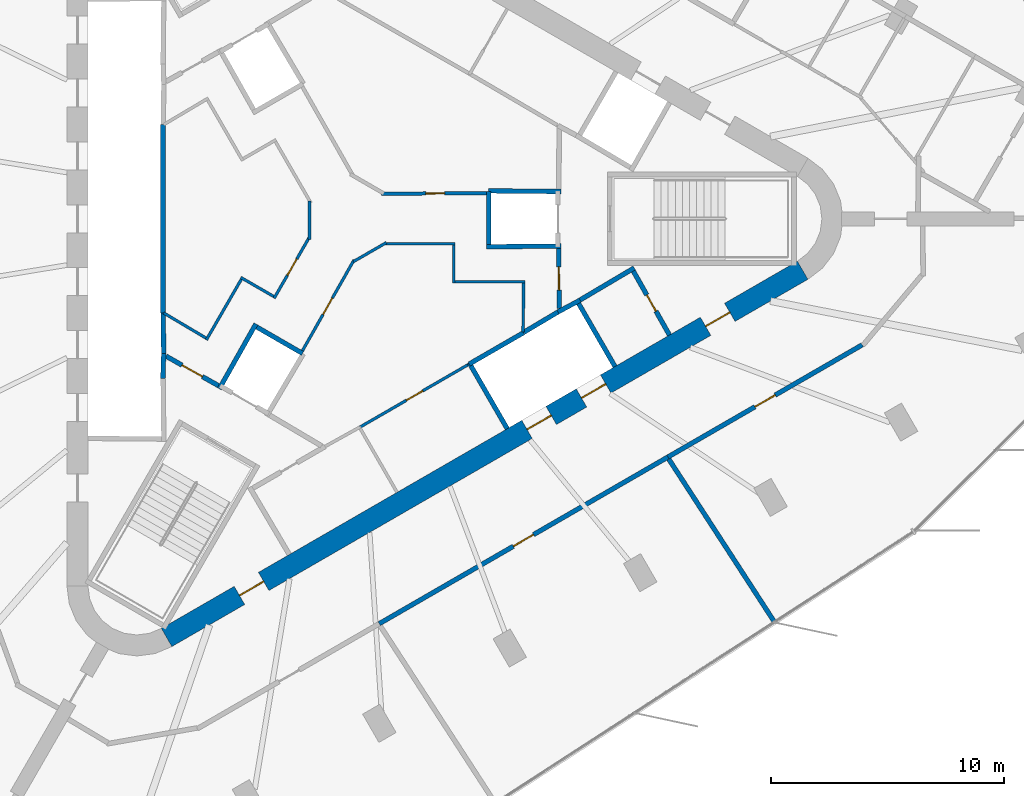
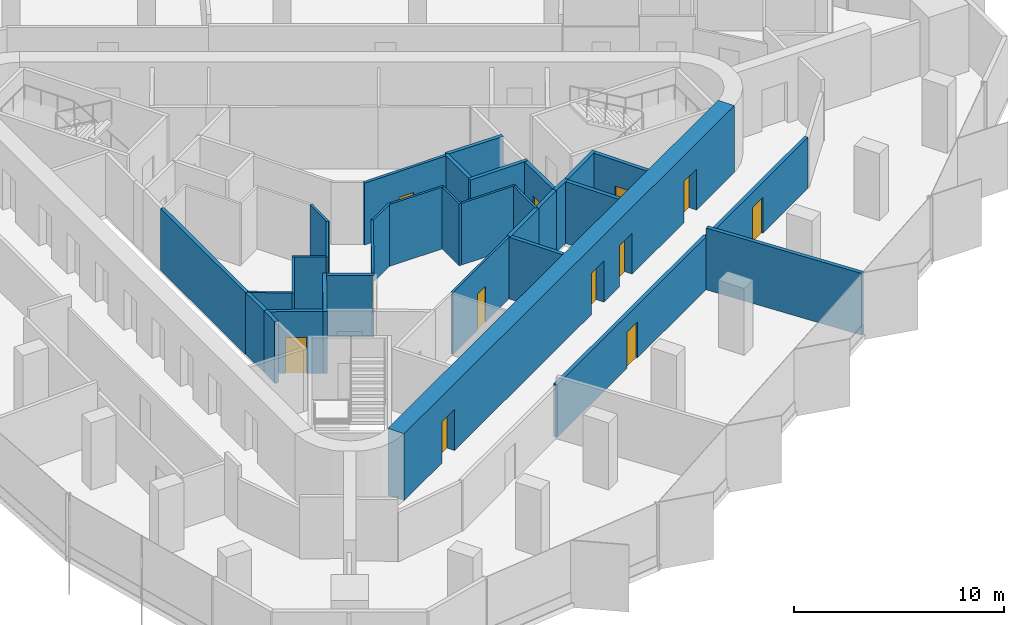
# One storey, part 8 of 12: 34 walls, 13 doors, 13 openings.
"""IFC4 building model written with IfcOpenShell, lengths in metres."""

from ifc_helpers import new_model, si_unit, direction, frame, frame_2d, origin, place, context, subcontext, project, spatial, rectangle, extrude, material, layer, layer_set, type_object, element, fill, save


model = new_model("IFC4")

# Units and contexts
model_context = context("Model", 3, precision=1e-05, world=origin(), true_north=direction((0.0, 1.0)))
body_context = subcontext(model_context, "Body", "Model", "MODEL_VIEW")
ifc_project = project(units=[si_unit("LENGTHUNIT", "METRE"), si_unit("AREAUNIT", "SQUARE_METRE"), si_unit("VOLUMEUNIT", "CUBIC_METRE"), si_unit("PLANEANGLEUNIT", "RADIAN"), si_unit("MASSUNIT", "GRAM", prefix="KILO")], contexts=[model_context])

# Site, building, storey
site_placement = place(None, origin())
site = spatial("IfcSite", under=ifc_project, at=site_placement, CompositionType="ELEMENT")
building_placement = place(site_placement, origin())
building = spatial("IfcBuilding", under=site, at=building_placement, Name="Tanit Gate Tower", CompositionType="ELEMENT")
storey_placement = place(building_placement, frame((0.0, 0.0, 357.199951171875)))
storey = spatial("IfcBuildingStorey", under=building, at=storey_placement, Name="L81", CompositionType="ELEMENT", Elevation=357.199951171875)

# Wall, openings, doors
ifc_material_1 = material(Name="Concrete C40/50", Category="concrete")
ifc_layer_1 = layer(ifc_material_1, 0.89990234375)
ifc_layer_set_1 = layer_set([ifc_layer_1], Name="CORE WALL 900 C40/50")
wall_type_1 = type_object("IfcWallType", Name="CORE WALL 900 C40/50", PredefinedType="SHEAR", material=ifc_layer_set_1)
wall_1_placement = place(storey_placement, frame((-7.824951171875, -17.969970703125, 0.0), z_axis=(0.0, 0.0, 1.0), x_axis=(0.866028369851, 0.499994862586, 0.0)))
wall_1 = element("IfcWall", 1, at=wall_1_placement, inside=storey, type_object=wall_type_1, Name="CORE WALL", PredefinedType="SHEAR", context=body_context, shape_type="SweptSolid", body=[
    extrude(rectangle(XDim=31.523193359375, YDim=0.89990234375, at=frame_2d((15.76171875, 0.0))), origin(), (0.0, 0.0, 1.0), 3.900146484375),
])
opening_1_placement = place(wall_1_placement, frame((17.861572265625, 0.0, 0.0)))
opening_1 = element("IfcOpeningElement", 2, at=opening_1_placement, cuts=wall_1, Name="Opening LDSV1-S23", PredefinedType="OPENING", context=body_context, shape_type="SweptSolid", body=[
    extrude(rectangle(XDim=1.199951171875, YDim=2.39990234375, at=frame_2d((0.60009765625, 1.199951171875))), frame((0.0, 0.4599609375, 0.0), z_axis=(0.0, -1.0, 0.0), x_axis=(1.0, 0.0, 0.0)), (0.0, 0.0, 1.0), 0.919921875),
])
opening_2_placement = place(wall_1_placement, frame((20.561767578125, 0.0, 0.0)))
opening_2 = element("IfcOpeningElement", 3, at=opening_2_placement, cuts=wall_1, Name="Opening LDSV2-S23", PredefinedType="OPENING", context=body_context, shape_type="SweptSolid", body=[
    extrude(rectangle(XDim=1.199951171875, YDim=2.39990234375, at=frame_2d((0.60009765625, 1.199951171875))), frame((0.0, 0.4599609375, 0.0), z_axis=(0.0, -1.0, 0.0), x_axis=(1.0, 0.0, 0.0)), (0.0, 0.0, 1.0), 0.919921875),
])
opening_3_placement = place(wall_1_placement, frame((26.711669921875, 0.0, 0.0)))
opening_3 = element("IfcOpeningElement", 4, at=opening_3_placement, cuts=wall_1, Name="Opening F12-S23-S1", PredefinedType="OPENING", context=body_context, shape_type="SweptSolid", body=[
    extrude(rectangle(XDim=1.199951171875, YDim=2.39990234375, at=frame_2d((0.60009765625, 1.199951171875))), frame((0.0, 0.4599609375, 0.0), z_axis=(0.0, -1.0, 0.0), x_axis=(1.0, 0.0, 0.0)), (0.0, 0.0, 1.0), 0.919921875),
])
opening_4_placement = place(wall_1_placement, frame((3.611572265625, 0.0, 0.0)))
opening_4 = element("IfcOpeningElement", 5, at=opening_4_placement, cuts=wall_1, Name="Opening F12-S23-FL3", PredefinedType="OPENING", context=body_context, shape_type="SweptSolid", body=[
    extrude(rectangle(XDim=1.199951171875, YDim=2.39990234375, at=frame_2d((0.60009765625, 1.199951171875))), frame((0.0, 0.4599609375, 0.0), z_axis=(0.0, -1.0, 0.0), x_axis=(1.0, 0.0, 0.0)), (0.0, 0.0, 1.0), 0.919921875),
])
ifc_material_2 = material(Name="Fire-rated steel door leaf", Category="steel")
door_type_1 = type_object("IfcDoorType", Name="INT-DOOR-FIRE-LOBBY-1200", OperationType="NOTDEFINED", PredefinedType="USERDEFINED", material=ifc_material_2)
door_1_placement = place(opening_3_placement, origin())
door_1 = element("IfcDoor", 6, at=door_1_placement, inside=storey, type_object=door_type_1, Name="Door F12-S23-S1", ObjectType="FIRE DOOR", OperationType="SINGLE_SWING_RIGHT", OverallHeight=2.39990234375, OverallWidth=1.199951171875, PredefinedType="USERDEFINED", context=body_context, shape_type="SweptSolid", body=[
    extrude(rectangle(XDim=1.199951171875, YDim=2.39990234375, at=frame_2d((0.60009765625, 1.199951171875))), frame((0.0, 0.02490234375, 0.0), z_axis=(0.0, -1.0, 0.0), x_axis=(1.0, 0.0, 0.0)), (0.0, 0.0, 1.0), 0.050048828125),
])
fill(opening_3, door_1)
door_2_placement = place(opening_4_placement, origin())
door_2 = element("IfcDoor", 7, at=door_2_placement, inside=storey, type_object=door_type_1, Name="Door F12-S23-FL3", ObjectType="FIRE DOOR", OperationType="SINGLE_SWING_RIGHT", OverallHeight=2.39990234375, OverallWidth=1.199951171875, PredefinedType="USERDEFINED", context=body_context, shape_type="SweptSolid", body=[
    extrude(rectangle(XDim=1.199951171875, YDim=2.39990234375, at=frame_2d((0.60009765625, 1.199951171875))), frame((0.0, 0.02490234375, 0.0), z_axis=(0.0, -1.0, 0.0), x_axis=(1.0, 0.0, 0.0)), (0.0, 0.0, 1.0), 0.050048828125),
])
fill(opening_4, door_2)
ifc_material_3 = material(Name="Stainless steel sliding door leaf", Category="steel")
door_type_2 = type_object("IfcDoorType", Name="INT-DOOR-LANDING-1200", OperationType="NOTDEFINED", PredefinedType="USERDEFINED", material=ifc_material_3)
door_3_placement = place(opening_1_placement, origin())
door_3 = element("IfcDoor", 8, at=door_3_placement, inside=storey, type_object=door_type_2, Name="Door LDSV1-S23", ObjectType="LANDING DOOR", OperationType="SLIDING_TO_LEFT", OverallHeight=2.39990234375, OverallWidth=1.199951171875, PredefinedType="USERDEFINED", context=body_context, shape_type="SweptSolid", body=[
    extrude(rectangle(XDim=1.199951171875, YDim=2.39990234375, at=frame_2d((0.60009765625, 1.199951171875))), frame((0.0, 0.02490234375, 0.0), z_axis=(0.0, -1.0, 0.0), x_axis=(1.0, 0.0, 0.0)), (0.0, 0.0, 1.0), 0.050048828125),
])
fill(opening_1, door_3)
door_4_placement = place(opening_2_placement, origin())
door_4 = element("IfcDoor", 9, at=door_4_placement, inside=storey, type_object=door_type_2, Name="Door LDSV2-S23", ObjectType="LANDING DOOR", OperationType="SLIDING_TO_LEFT", OverallHeight=2.39990234375, OverallWidth=1.199951171875, PredefinedType="USERDEFINED", context=body_context, shape_type="SweptSolid", body=[
    extrude(rectangle(XDim=1.199951171875, YDim=2.39990234375, at=frame_2d((0.60009765625, 1.199951171875))), frame((0.0, 0.02490234375, 0.0), z_axis=(0.0, -1.0, 0.0), x_axis=(1.0, 0.0, 0.0)), (0.0, 0.0, 1.0), 0.050048828125),
])
fill(opening_2, door_4)

# Wall
ifc_material_4 = material(Name="Fire-rated gypsum board partition")
ifc_layer_2 = layer(ifc_material_4, 0.199951171875)
ifc_layer_set_2 = layer_set([ifc_layer_2], Name="INT-WALL-COMPARTMENT")
wall_type_2 = type_object("IfcWallType", Name="INT-WALL-COMPARTMENT", PredefinedType="PARTITIONING", material=ifc_layer_set_2)
wall_2_placement = place(storey_placement, frame((12.244873046875, -2.10888671875, 0.0), z_axis=(0.0, 0.0, 1.0), x_axis=(-0.860414880418, -0.509594185166, 0.0)))
element("IfcWall", 10, at=wall_2_placement, inside=storey, type_object=wall_type_2, Name="Wall Compartment W057", PredefinedType="PARTITIONING", context=body_context, shape_type="SweptSolid", body=[
    extrude(rectangle(XDim=2.7001953125, YDim=0.199951171875, at=frame_2d((1.35009765625, 0.0))), origin(), (0.0, 0.0, 1.0), 3.60009765625),
])

# Wall, opening, door
wall_3_placement = place(storey_placement, frame((13.758056640625, -4.989501953125, 0.0), z_axis=(0.0, 0.0, 1.0), x_axis=(-0.491993409184, 0.87059892334, 0.0)))
wall_3 = element("IfcWall", 11, at=wall_3_placement, inside=storey, type_object=wall_type_2, Name="Wall Compartment W058", PredefinedType="PARTITIONING", context=body_context, shape_type="SweptSolid", body=[
    extrude(rectangle(XDim=3.150146484375, YDim=0.199951171875, at=frame_2d((1.5751953125, 0.0))), origin(), (0.0, 0.0, 1.0), 3.60009765625),
])
opening_5_placement = place(wall_3_placement, frame((1.175048828125, 0.0, 0.0)))
opening_5 = element("IfcOpeningElement", 12, at=opening_5_placement, cuts=wall_3, Name="Opening R08-S23-17", PredefinedType="OPENING", context=body_context, shape_type="SweptSolid", body=[
    extrude(rectangle(XDim=0.800048828125, YDim=2.10009765625, at=frame_2d((0.39990234375, 1.050048828125))), frame((0.0, 0.10986328125, 0.0), z_axis=(0.0, -1.0, 0.0), x_axis=(1.0, 0.0, 0.0)), (0.0, 0.0, 1.0), 0.219970703125),
])
ifc_material_5 = material(Name="Timber door leaf", Category="wood")
door_type_3 = type_object("IfcDoorType", Name="INT-DOOR-RISER-800", OperationType="NOTDEFINED", PredefinedType="USERDEFINED", material=ifc_material_5)
door_5_placement = place(opening_5_placement, origin())
door_5 = element("IfcDoor", 13, at=door_5_placement, inside=storey, type_object=door_type_3, Name="Door R08-S23-17", ObjectType="FIRE DOOR", OperationType="SINGLE_SWING_LEFT", OverallHeight=2.10009765625, OverallWidth=0.800048828125, PredefinedType="USERDEFINED", context=body_context, shape_type="SweptSolid", body=[
    extrude(rectangle(XDim=0.800048828125, YDim=2.10009765625, at=frame_2d((0.39990234375, 1.050048828125))), frame((0.0, 0.02490234375, 0.0), z_axis=(0.0, -1.0, 0.0), x_axis=(1.0, 0.0, 0.0)), (0.0, 0.0, 1.0), 0.050048828125),
])
fill(opening_5, door_5)

wall_4_placement = place(storey_placement, frame((9.02880859375, -3.850830078125, 0.0), z_axis=(0.0, 0.0, 1.0), x_axis=(-0.010783593937, 0.99994185536, 0.0)))
wall_4 = element("IfcWall", 14, at=wall_4_placement, inside=storey, type_object=wall_type_2, Name="Wall Compartment W060", PredefinedType="PARTITIONING", context=body_context, shape_type="SweptSolid", body=[
    extrude(rectangle(XDim=2.5810546875, YDim=0.199951171875, at=frame_2d((1.29052734375, 0.0))), origin(), (0.0, 0.0, 1.0), 3.60009765625),
])
opening_6_placement = place(wall_4_placement, frame((0.79052734375, 0.0, 0.0)))
opening_6 = element("IfcOpeningElement", 15, at=opening_6_placement, cuts=wall_4, Name="Opening F10-S23-02", PredefinedType="OPENING", context=body_context, shape_type="SweptSolid", body=[
    extrude(rectangle(XDim=1.0, YDim=2.10009765625, at=frame_2d((0.5, 1.050048828125))), frame((0.0, 0.10986328125, 0.0), z_axis=(0.0, -1.0, 0.0), x_axis=(1.0, 0.0, 0.0)), (0.0, 0.0, 1.0), 0.219970703125),
])
ifc_material_6 = material(Name="Fire-rated steel door leaf", Category="steel")
door_type_4 = type_object("IfcDoorType", Name="INT-DOOR-FIRE-1000", OperationType="NOTDEFINED", PredefinedType="USERDEFINED", material=ifc_material_6)
door_6_placement = place(opening_6_placement, origin())
door_6 = element("IfcDoor", 16, at=door_6_placement, inside=storey, type_object=door_type_4, Name="Door F10-S23-02", ObjectType="FIRE DOOR", OperationType="SINGLE_SWING_LEFT", OverallHeight=2.10009765625, OverallWidth=1.0, PredefinedType="USERDEFINED", context=body_context, shape_type="SweptSolid", body=[
    extrude(rectangle(XDim=1.0, YDim=2.10009765625, at=frame_2d((0.5, 1.050048828125))), frame((0.0, 0.02490234375, 0.0), z_axis=(0.0, -1.0, 0.0), x_axis=(1.0, 0.0, 0.0)), (0.0, 0.0, 1.0), 0.050048828125),
])
fill(opening_6, door_6)

wall_5_placement = place(storey_placement, frame((-7.849365234375, -5.893798828125, 0.0), z_axis=(0.0, 0.0, 1.0), x_axis=(0.871363259478, -0.490638431059, 0.0)))
wall_5 = element("IfcWall", 17, at=wall_5_placement, inside=storey, type_object=wall_type_2, Name="Wall Compartment W064", PredefinedType="PARTITIONING", context=body_context, shape_type="SweptSolid", body=[
    extrude(rectangle(XDim=2.5810546875, YDim=0.199951171875, at=frame_2d((1.29052734375, 0.0))), origin(), (0.0, 0.0, 1.0), 3.60009765625),
])
opening_7_placement = place(wall_5_placement, frame((0.79052734375, 0.0, 0.0)))
opening_7 = element("IfcOpeningElement", 18, at=opening_7_placement, cuts=wall_5, Name="Opening F10-S23-08", PredefinedType="OPENING", context=body_context, shape_type="SweptSolid", body=[
    extrude(rectangle(XDim=1.0, YDim=2.10009765625, at=frame_2d((0.5, 1.050048828125))), frame((0.0, 0.10986328125, 0.0), z_axis=(0.0, -1.0, 0.0), x_axis=(1.0, 0.0, 0.0)), (0.0, 0.0, 1.0), 0.219970703125),
])
door_7_placement = place(opening_7_placement, origin())
door_7 = element("IfcDoor", 19, at=door_7_placement, inside=storey, type_object=door_type_4, Name="Door F10-S23-08", ObjectType="FIRE DOOR", OperationType="SINGLE_SWING_LEFT", OverallHeight=2.10009765625, OverallWidth=1.0, PredefinedType="USERDEFINED", context=body_context, shape_type="SweptSolid", body=[
    extrude(rectangle(XDim=1.0, YDim=2.10009765625, at=frame_2d((0.5, 1.050048828125))), frame((0.0, 0.02490234375, 0.0), z_axis=(0.0, -1.0, 0.0), x_axis=(1.0, 0.0, 0.0)), (0.0, 0.0, 1.0), 0.050048828125),
])
fill(opening_7, door_7)

wall_6_placement = place(storey_placement, frame((1.302978515625, -17.37646484375, 0.0), z_axis=(0.0, 0.0, 1.0), x_axis=(0.866024719138, 0.50000118584, 0.0)))
wall_6 = element("IfcWall", 20, at=wall_6_placement, inside=storey, type_object=wall_type_2, Name="Wall Compartment W106", PredefinedType="PARTITIONING", context=body_context, shape_type="SweptSolid", body=[
    extrude(rectangle(XDim=14.3046875, YDim=0.199951171875, at=frame_2d((7.15234375, 0.0))), origin(), (0.0, 0.0, 1.0), 3.070068359375),
])
opening_8_placement = place(wall_6_placement, frame((6.643798828125, 0.0, 0.0)))
opening_8 = element("IfcOpeningElement", 21, at=opening_8_placement, cuts=wall_6, Name="Opening F10-S23-29", PredefinedType="OPENING", context=body_context, shape_type="SweptSolid", body=[
    extrude(rectangle(XDim=1.0, YDim=2.10009765625, at=frame_2d((0.5, 1.050048828125))), frame((0.0, 0.10986328125, 0.0), z_axis=(0.0, -1.0, 0.0), x_axis=(1.0, 0.0, 0.0)), (0.0, 0.0, 1.0), 0.219970703125),
])
door_8_placement = place(opening_8_placement, origin())
door_8 = element("IfcDoor", 22, at=door_8_placement, inside=storey, type_object=door_type_4, Name="Door F10-S23-29", ObjectType="FIRE DOOR", OperationType="SINGLE_SWING_RIGHT", OverallHeight=2.10009765625, OverallWidth=1.0, PredefinedType="USERDEFINED", context=body_context, shape_type="SweptSolid", body=[
    extrude(rectangle(XDim=1.0, YDim=2.10009765625, at=frame_2d((0.5, 1.050048828125))), frame((0.0, 0.02490234375, 0.0), z_axis=(0.0, -1.0, 0.0), x_axis=(1.0, 0.0, 0.0)), (0.0, 0.0, 1.0), 0.050048828125),
])
fill(opening_8, door_8)

wall_7_placement = place(storey_placement, frame((13.691162109375, -10.22412109375, 0.0), z_axis=(0.0, 0.0, 1.0), x_axis=(0.866025593094, 0.499999672107, 0.0)))
wall_7 = element("IfcWall", 23, at=wall_7_placement, inside=storey, type_object=wall_type_2, Name="Wall Compartment W105", PredefinedType="PARTITIONING", context=body_context, shape_type="SweptSolid", body=[
    extrude(rectangle(XDim=9.630859375, YDim=0.199951171875, at=frame_2d((4.8154296875, 0.0))), origin(), (0.0, 0.0, 1.0), 2.969970703125),
])
opening_9_placement = place(wall_7_placement, frame((4.3154296875, 0.0, 0.0)))
opening_9 = element("IfcOpeningElement", 24, at=opening_9_placement, cuts=wall_7, Name="Opening F10-S23-28", PredefinedType="OPENING", context=body_context, shape_type="SweptSolid", body=[
    extrude(rectangle(XDim=1.0, YDim=2.10009765625, at=frame_2d((0.5, 1.050048828125))), frame((0.0, 0.10986328125, 0.0), z_axis=(0.0, -1.0, 0.0), x_axis=(1.0, 0.0, 0.0)), (0.0, 0.0, 1.0), 0.219970703125),
])
door_9_placement = place(opening_9_placement, origin())
door_9 = element("IfcDoor", 25, at=door_9_placement, inside=storey, type_object=door_type_4, Name="Door F10-S23-28", ObjectType="FIRE DOOR", OperationType="SINGLE_SWING_RIGHT", OverallHeight=2.10009765625, OverallWidth=1.0, PredefinedType="USERDEFINED", context=body_context, shape_type="SweptSolid", body=[
    extrude(rectangle(XDim=1.0, YDim=2.10009765625, at=frame_2d((0.5, 1.050048828125))), frame((0.0, 0.02490234375, 0.0), z_axis=(0.0, -1.0, 0.0), x_axis=(1.0, 0.0, 0.0)), (0.0, 0.0, 1.0), 0.050048828125),
])
fill(opening_9, door_9)

# Wall
wall_8_placement = place(storey_placement, frame((13.730712890625, -10.31689453125, 0.0), z_axis=(0.0, 0.0, 1.0), x_axis=(0.544248008525, -0.838924373955, 0.0)))
element("IfcWall", 26, at=wall_8_placement, inside=storey, type_object=wall_type_2, Name="Wall Compartment W126", PredefinedType="PARTITIONING", context=body_context, shape_type="SweptSolid", body=[
    extrude(rectangle(XDim=8.32470703125, YDim=0.199951171875, at=frame_2d((4.162353515625, 0.0))), origin(), (0.0, 0.0, 1.0), 3.60009765625),
])

# Wall, opening, door
ifc_material_7 = material(Name="Gypsum board partition")
ifc_layer_3 = layer(ifc_material_7, 0.1201171875)
ifc_layer_set_3 = layer_set([ifc_layer_3], Name="INT-WALL-PARTITION")
wall_type_3 = type_object("IfcWallType", Name="INT-WALL-PARTITION", PredefinedType="PARTITIONING", material=ifc_layer_set_3)
wall_9_placement = place(storey_placement, frame((0.482666015625, -8.935791015625, 0.0), z_axis=(0.0, 0.0, 1.0), x_axis=(0.866028230842, 0.499995103361, 0.0)))
wall_9 = element("IfcWall", 27, at=wall_9_placement, inside=storey, type_object=wall_type_3, Name="Wall Partition W056", PredefinedType="PARTITIONING", context=body_context, shape_type="SweptSolid", body=[
    extrude(rectangle(XDim=5.39990234375, YDim=0.1201171875, at=frame_2d((2.699951171875, 0.0))), origin(), (0.0, 0.0, 1.0), 3.60009765625),
])
opening_10_placement = place(wall_9_placement, frame((2.300048828125, 0.0, 0.0)))
opening_10 = element("IfcOpeningElement", 28, at=opening_10_placement, cuts=wall_9, Name="Opening R08-S23-16", PredefinedType="OPENING", context=body_context, shape_type="SweptSolid", body=[
    extrude(rectangle(XDim=0.800048828125, YDim=2.10009765625, at=frame_2d((0.39990234375, 1.050048828125))), frame((0.0, 0.070068359375, 0.0), z_axis=(0.0, -1.0, 0.0), x_axis=(1.0, 0.0, 0.0)), (0.0, 0.0, 1.0), 0.14013671875),
])
door_10_placement = place(opening_10_placement, origin())
door_10 = element("IfcDoor", 29, at=door_10_placement, inside=storey, type_object=door_type_3, Name="Door R08-S23-16", ObjectType="FIRE DOOR", OperationType="SINGLE_SWING_RIGHT", OverallHeight=2.10009765625, OverallWidth=0.800048828125, PredefinedType="USERDEFINED", context=body_context, shape_type="SweptSolid", body=[
    extrude(rectangle(XDim=0.800048828125, YDim=2.10009765625, at=frame_2d((0.39990234375, 1.050048828125))), frame((0.0, 0.02490234375, 0.0), z_axis=(0.0, -1.0, 0.0), x_axis=(1.0, 0.0, 0.0)), (0.0, 0.0, 1.0), 0.050048828125),
])
fill(opening_10, door_10)

wall_10_placement = place(storey_placement, frame((0.223876953125, -1.760986328125, 0.0), z_axis=(0.0, 0.0, 1.0), x_axis=(-0.494327216836, -0.869275907118, 0.0)))
wall_10 = element("IfcWall", 30, at=wall_10_placement, inside=storey, type_object=wall_type_3, Name="Wall Partition W068", PredefinedType="PARTITIONING", context=body_context, shape_type="SweptSolid", body=[
    extrude(rectangle(XDim=4.487060546875, YDim=0.1201171875, at=frame_2d((2.24365234375, 0.0))), origin(), (0.0, 0.0, 1.0), 3.60009765625),
])
opening_11_placement = place(wall_10_placement, frame((1.89453125, 0.0, 0.0)))
opening_11 = element("IfcOpeningElement", 31, at=opening_11_placement, cuts=wall_10, Name="Opening R08-S23-11", PredefinedType="OPENING", context=body_context, shape_type="SweptSolid", body=[
    extrude(rectangle(XDim=0.800048828125, YDim=2.10009765625, at=frame_2d((0.39990234375, 1.050048828125))), frame((0.0, 0.070068359375, 0.0), z_axis=(0.0, -1.0, 0.0), x_axis=(1.0, 0.0, 0.0)), (0.0, 0.0, 1.0), 0.14013671875),
])
door_11_placement = place(opening_11_placement, origin())
door_11 = element("IfcDoor", 32, at=door_11_placement, inside=storey, type_object=door_type_3, Name="Door R08-S23-11", ObjectType="FIRE DOOR", OperationType="SINGLE_SWING_LEFT", OverallHeight=2.10009765625, OverallWidth=0.800048828125, PredefinedType="USERDEFINED", context=body_context, shape_type="SweptSolid", body=[
    extrude(rectangle(XDim=0.800048828125, YDim=2.10009765625, at=frame_2d((0.39990234375, 1.050048828125))), frame((0.0, 0.02490234375, 0.0), z_axis=(0.0, -1.0, 0.0), x_axis=(1.0, 0.0, 0.0)), (0.0, 0.0, 1.0), 0.050048828125),
])
fill(opening_11, door_11)

# Walls
wall_11_placement = place(storey_placement, frame((1.60546875, -1.02294921875, 0.0), z_axis=(0.0, 0.0, 1.0), x_axis=(-0.866001581989, -0.50004125829, 0.0)))
element("IfcWall", 33, at=wall_11_placement, inside=storey, type_object=wall_type_3, Name="Wall Partition W069", PredefinedType="PARTITIONING", context=body_context, shape_type="SweptSolid", body=[
    extrude(rectangle(XDim=1.635009765625, YDim=0.1201171875, at=frame_2d((0.8173828125, 0.0))), origin(), (0.0, 0.0, 1.0), 3.60009765625),
])
wall_12_placement = place(storey_placement, frame((4.56005859375, -1.074951171875, 0.0), z_axis=(0.0, 0.0, 1.0), x_axis=(-1.0, 0.0, 0.0)))
element("IfcWall", 34, at=wall_12_placement, inside=storey, type_object=wall_type_3, Name="Wall Partition W070", PredefinedType="PARTITIONING", context=body_context, shape_type="SweptSolid", body=[
    extrude(rectangle(XDim=3.02587890625, YDim=0.1201171875, at=frame_2d((1.512939453125, 0.0))), origin(), (0.0, 0.0, 1.0), 3.60009765625),
])
wall_13_placement = place(storey_placement, frame((4.5, -2.760009765625, 0.0), z_axis=(0.0, 0.0, 1.0), x_axis=(0.0, 1.0, 0.0)))
element("IfcWall", 35, at=wall_13_placement, inside=storey, type_object=wall_type_3, Name="Wall Partition W071", PredefinedType="PARTITIONING", context=body_context, shape_type="SweptSolid", body=[
    extrude(rectangle(XDim=1.625, YDim=0.1201171875, at=frame_2d((0.8125, 0.0))), origin(), (0.0, 0.0, 1.0), 3.60009765625),
])
wall_14_placement = place(storey_placement, frame((7.56005859375, -2.699951171875, 0.0), z_axis=(0.0, 0.0, 1.0), x_axis=(-1.0, 0.0, 0.0)))
element("IfcWall", 36, at=wall_14_placement, inside=storey, type_object=wall_type_3, Name="Wall Partition W072", PredefinedType="PARTITIONING", context=body_context, shape_type="SweptSolid", body=[
    extrude(rectangle(XDim=3.0, YDim=0.1201171875, at=frame_2d((1.5, 0.0))), origin(), (0.0, 0.0, 1.0), 3.60009765625),
])
wall_15_placement = place(storey_placement, frame((7.474609375, -4.864501953125, 0.0), z_axis=(0.0, 0.0, 1.0), x_axis=(0.011716133148, 0.999931363757, 0.0)))
element("IfcWall", 37, at=wall_15_placement, inside=storey, type_object=wall_type_3, Name="Wall Partition W073", PredefinedType="PARTITIONING", context=body_context, shape_type="SweptSolid", body=[
    extrude(rectangle(XDim=2.104736328125, YDim=0.1201171875, at=frame_2d((1.05224609375, 0.0))), origin(), (0.0, 0.0, 1.0), 3.60009765625),
])
wall_16_placement = place(storey_placement, frame((-1.688720703125, -0.87890625, 0.0), z_axis=(0.0, 0.0, 1.0), x_axis=(0.0, 1.0, 0.0)))
element("IfcWall", 38, at=wall_16_placement, inside=storey, type_object=wall_type_3, Name="Wall Partition W078", PredefinedType="PARTITIONING", context=body_context, shape_type="SweptSolid", body=[
    extrude(rectangle(XDim=1.63525390625, YDim=0.1201171875, at=frame_2d((0.817626953125, 0.0))), origin(), (0.0, 0.0, 1.0), 3.60009765625),
])

# Wall, opening, door
wall_17_placement = place(storey_placement, frame((-3.2109375, -3.41162109375, 0.0), z_axis=(0.0, 0.0, 1.0), x_axis=(0.499983190554, 0.866035108505, 0.0)))
wall_17 = element("IfcWall", 39, at=wall_17_placement, inside=storey, type_object=wall_type_3, Name="Wall Partition W079", PredefinedType="PARTITIONING", context=body_context, shape_type="SweptSolid", body=[
    extrude(rectangle(XDim=3.02587890625, YDim=0.1201171875, at=frame_2d((1.512939453125, 0.0))), origin(), (0.0, 0.0, 1.0), 3.60009765625),
])
opening_12_placement = place(wall_17_placement, frame((1.142822265625, 0.0, 0.0)))
opening_12 = element("IfcOpeningElement", 40, at=opening_12_placement, cuts=wall_17, Name="Opening R08-S23-12", PredefinedType="OPENING", context=body_context, shape_type="SweptSolid", body=[
    extrude(rectangle(XDim=0.800048828125, YDim=2.10009765625, at=frame_2d((0.39990234375, 1.050048828125))), frame((0.0, 0.070068359375, 0.0), z_axis=(0.0, -1.0, 0.0), x_axis=(1.0, 0.0, 0.0)), (0.0, 0.0, 1.0), 0.14013671875),
])
door_12_placement = place(opening_12_placement, origin())
door_12 = element("IfcDoor", 41, at=door_12_placement, inside=storey, type_object=door_type_3, Name="Door R08-S23-12", ObjectType="FIRE DOOR", OperationType="SINGLE_SWING_RIGHT", OverallHeight=2.10009765625, OverallWidth=0.800048828125, PredefinedType="USERDEFINED", context=body_context, shape_type="SweptSolid", body=[
    extrude(rectangle(XDim=0.800048828125, YDim=2.10009765625, at=frame_2d((0.39990234375, 1.050048828125))), frame((0.0, 0.02490234375, 0.0), z_axis=(0.0, -1.0, 0.0), x_axis=(1.0, 0.0, 0.0)), (0.0, 0.0, 1.0), 0.050048828125),
])
fill(opening_12, door_12)

# Walls
wall_18_placement = place(storey_placement, frame((-4.64013671875, -2.51708984375, 0.0), z_axis=(0.0, 0.0, 1.0), x_axis=(0.866015446554, -0.500017246033, 0.0)))
element("IfcWall", 42, at=wall_18_placement, inside=storey, type_object=wall_type_3, Name="Wall Partition W080", PredefinedType="PARTITIONING", context=body_context, shape_type="SweptSolid", body=[
    extrude(rectangle(XDim=1.625, YDim=0.1201171875, at=frame_2d((0.8125, 0.0))), origin(), (0.0, 0.0, 1.0), 3.60009765625),
])
wall_19_placement = place(storey_placement, frame((-6.1181640625, -5.197265625, 0.0), z_axis=(0.0, 0.0, 1.0), x_axis=(0.499990139034, 0.866031096941, 0.0)))
element("IfcWall", 43, at=wall_19_placement, inside=storey, type_object=wall_type_3, Name="Wall Partition W081", PredefinedType="PARTITIONING", context=body_context, shape_type="SweptSolid", body=[
    extrude(rectangle(XDim=3.0, YDim=0.1201171875, at=frame_2d((1.5, 0.0))), origin(), (0.0, 0.0, 1.0), 3.60009765625),
])
wall_20_placement = place(storey_placement, frame((-7.949951171875, -4.041015625, 0.0), z_axis=(0.0, 0.0, 1.0), x_axis=(0.860112457103, -0.510104461004, 0.0)))
element("IfcWall", 44, at=wall_20_placement, inside=storey, type_object=wall_type_3, Name="Wall Partition W082", PredefinedType="PARTITIONING", context=body_context, shape_type="SweptSolid", body=[
    extrude(rectangle(XDim=2.1044921875, YDim=0.1201171875, at=frame_2d((1.05224609375, 0.0))), origin(), (0.0, 0.0, 1.0), 3.60009765625),
])

# Wall, opening, door
ifc_material_8 = material(Name="Fire-rated gypsum board partition")
ifc_layer_4 = layer(ifc_material_8, 0.14990234375)
ifc_layer_set_4 = layer_set([ifc_layer_4], Name="INT-WALL-RISER")
wall_type_4 = type_object("IfcWallType", Name="INT-WALL-RISER", PredefinedType="PLUMBINGWALL", material=ifc_layer_set_4)
wall_21_placement = place(storey_placement, frame((1.3876953125, 1.07421875, 0.0), z_axis=(0.0, 0.0, 1.0), x_axis=(0.99997856967, 0.006546770205, 0.0)))
wall_21 = element("IfcWall", 45, at=wall_21_placement, inside=storey, type_object=wall_type_4, Name="Wall Riser W065", PredefinedType="PLUMBINGWALL", context=body_context, shape_type="SweptSolid", body=[
    extrude(rectangle(XDim=4.51220703125, YDim=0.14990234375, at=frame_2d((2.256103515625, 0.0))), origin(), (0.0, 0.0, 1.0), 3.60009765625),
])
opening_13_placement = place(wall_21_placement, frame((1.920166015625, 0.0, 0.0)))
opening_13 = element("IfcOpeningElement", 46, at=opening_13_placement, cuts=wall_21, Name="Opening R08-S23-10", PredefinedType="OPENING", context=body_context, shape_type="SweptSolid", body=[
    extrude(rectangle(XDim=0.800048828125, YDim=2.10009765625, at=frame_2d((0.39990234375, 1.050048828125))), frame((0.0, 0.0849609375, 0.0), z_axis=(0.0, -1.0, 0.0), x_axis=(1.0, 0.0, 0.0)), (0.0, 0.0, 1.0), 0.169921875),
])
door_13_placement = place(opening_13_placement, origin())
door_13 = element("IfcDoor", 47, at=door_13_placement, inside=storey, type_object=door_type_3, Name="Door R08-S23-10", ObjectType="FIRE DOOR", OperationType="SINGLE_SWING_LEFT", OverallHeight=2.10009765625, OverallWidth=0.800048828125, PredefinedType="USERDEFINED", context=body_context, shape_type="SweptSolid", body=[
    extrude(rectangle(XDim=0.800048828125, YDim=2.10009765625, at=frame_2d((0.39990234375, 1.050048828125))), frame((0.0, 0.02490234375, 0.0), z_axis=(0.0, -1.0, 0.0), x_axis=(1.0, 0.0, 0.0)), (0.0, 0.0, 1.0), 0.050048828125),
])
fill(opening_13, door_13)

# Walls
ifc_material_9 = material(Name="Gypsum shaft wall system")
ifc_layer_5 = layer(ifc_material_9, 0.199951171875)
ifc_layer_set_5 = layer_set([ifc_layer_5], Name="INT-WALL-SHAFT")
wall_type_5 = type_object("IfcWallType", Name="INT-WALL-SHAFT", PredefinedType="PLUMBINGWALL", material=ifc_layer_set_5)
wall_22_placement = place(storey_placement, frame((-7.97998046875, 4.050048828125, 0.0), z_axis=(0.0, 0.0, 1.0), x_axis=(0.0, -1.0, 0.0)))
element("IfcWall", 48, at=wall_22_placement, inside=storey, type_object=wall_type_5, Name="Wall Shaft W005", PredefinedType="PLUMBINGWALL", context=body_context, shape_type="SweptSolid", body=[
    extrude(rectangle(XDim=8.10009765625, YDim=0.199951171875, at=frame_2d((4.050048828125, 0.0))), origin(), (0.0, 0.0, 1.0), 3.60009765625),
])
wall_23_placement = place(storey_placement, frame((-7.949951171875, -5.7724609375, 0.0), z_axis=(0.0, 0.0, 1.0), x_axis=(-0.030803413295, -0.999525462272, 0.0)))
element("IfcWall", 49, at=wall_23_placement, inside=storey, type_object=wall_type_5, Name="Wall Shaft W008", PredefinedType="PLUMBINGWALL", context=body_context, shape_type="SweptSolid", body=[
    extrude(rectangle(XDim=1.077880859375, YDim=0.199951171875, at=frame_2d((0.5390625, 0.0))), origin(), (0.0, 0.0, 1.0), 3.60009765625),
])
wall_24_placement = place(storey_placement, frame((-7.971435546875, -4.050048828125, 0.0), z_axis=(0.0, 0.0, 1.0), x_axis=(0.012042535896, -0.999927486035, 0.0)))
element("IfcWall", 50, at=wall_24_placement, inside=storey, type_object=wall_type_5, Name="Wall Shaft W009", PredefinedType="PLUMBINGWALL", context=body_context, shape_type="SweptSolid", body=[
    extrude(rectangle(XDim=1.844970703125, YDim=0.199951171875, at=frame_2d((0.92236328125, 0.0))), origin(), (0.0, 0.0, 1.0), 3.60009765625),
])
wall_25_placement = place(storey_placement, frame((6.795166015625, -9.009521484375, 0.0), z_axis=(0.0, 0.0, 1.0), x_axis=(-0.499984717929, 0.866034226713, 0.0)))
element("IfcWall", 51, at=wall_25_placement, inside=storey, type_object=wall_type_5, Name="Wall Shaft W015", PredefinedType="PLUMBINGWALL", context=body_context, shape_type="SweptSolid", body=[
    extrude(rectangle(XDim=3.25, YDim=0.199951171875, at=frame_2d((1.625, 0.0))), origin(), (0.0, 0.0, 1.0), 3.60009765625),
])
wall_26_placement = place(storey_placement, frame((5.1591796875, -6.23583984375, 0.0), z_axis=(0.0, 0.0, 1.0), x_axis=(0.866036505625, 0.499980770555, 0.0)))
element("IfcWall", 52, at=wall_26_placement, inside=storey, type_object=wall_type_5, Name="Wall Shaft W016", PredefinedType="PLUMBINGWALL", context=body_context, shape_type="SweptSolid", body=[
    extrude(rectangle(XDim=2.69970703125, YDim=0.199951171875, at=frame_2d((1.349853515625, 0.0))), origin(), (0.0, 0.0, 1.0), 3.60009765625),
])
wall_27_placement = place(storey_placement, frame((9.794677734375, -3.52490234375, 0.0), z_axis=(0.0, 0.0, 1.0), x_axis=(0.499984717929, -0.866034226713, 0.0)))
element("IfcWall", 53, at=wall_27_placement, inside=storey, type_object=wall_type_5, Name="Wall Shaft W017", PredefinedType="PLUMBINGWALL", context=body_context, shape_type="SweptSolid", body=[
    extrude(rectangle(XDim=3.25, YDim=0.199951171875, at=frame_2d((1.625, 0.0))), origin(), (0.0, 0.0, 1.0), 3.60009765625),
])
wall_28_placement = place(storey_placement, frame((8.97412109375, -3.998779296875, 0.0), z_axis=(0.0, 0.0, 1.0), x_axis=(0.880907015104, 0.473289373154, 0.0)))
element("IfcWall", 54, at=wall_28_placement, inside=storey, type_object=wall_type_5, Name="Wall Shaft W018", PredefinedType="PLUMBINGWALL", context=body_context, shape_type="SweptSolid", body=[
    extrude(rectangle(XDim=1.078125, YDim=0.199951171875, at=frame_2d((0.5390625, 0.0))), origin(), (0.0, 0.0, 1.0), 3.60009765625),
])
wall_29_placement = place(storey_placement, frame((7.4931640625, -4.87841796875, 0.0), z_axis=(0.0, 0.0, 1.0), x_axis=(0.859981807212, 0.510324691999, 0.0)))
element("IfcWall", 55, at=wall_29_placement, inside=storey, type_object=wall_type_5, Name="Wall Shaft W019", PredefinedType="PLUMBINGWALL", context=body_context, shape_type="SweptSolid", body=[
    extrude(rectangle(XDim=1.8447265625, YDim=0.199951171875, at=frame_2d((0.92236328125, 0.0))), origin(), (0.0, 0.0, 1.0), 3.60009765625),
])
wall_30_placement = place(storey_placement, frame((6.0, 1.199951171875, 0.0), z_axis=(0.0, 0.0, 1.0), x_axis=(0.999949988, -0.010001074852, 0.0)))
element("IfcWall", 56, at=wall_30_placement, inside=storey, type_object=wall_type_5, Name="Wall Shaft W025", PredefinedType="PLUMBINGWALL", context=body_context, shape_type="SweptSolid", body=[
    extrude(rectangle(XDim=3.100341796875, YDim=0.199951171875, at=frame_2d((1.55029296875, 0.0))), origin(), (0.0, 0.0, 1.0), 3.60009765625),
])
wall_31_placement = place(storey_placement, frame((5.89990234375, -1.200927734375, 0.0), z_axis=(0.0, 0.0, 1.0), x_axis=(0.999950064753, 0.009993397809, 0.0)))
element("IfcWall", 57, at=wall_31_placement, inside=storey, type_object=wall_type_5, Name="Wall Shaft W026", PredefinedType="PLUMBINGWALL", context=body_context, shape_type="SweptSolid", body=[
    extrude(rectangle(XDim=3.200439453125, YDim=0.199951171875, at=frame_2d((1.60009765625, 0.0))), origin(), (0.0, 0.0, 1.0), 3.60009765625),
])
wall_32_placement = place(storey_placement, frame((6.0, -1.10009765625, 0.0), z_axis=(0.0, 0.0, 1.0), x_axis=(0.0, 1.0, 0.0)))
element("IfcWall", 58, at=wall_32_placement, inside=storey, type_object=wall_type_5, Name="Wall Shaft W027", PredefinedType="PLUMBINGWALL", context=body_context, shape_type="SweptSolid", body=[
    extrude(rectangle(XDim=2.279541015625, YDim=0.199951171875, at=frame_2d((1.1396484375, 0.0))), origin(), (0.0, 0.0, 1.0), 3.60009765625),
])
wall_33_placement = place(storey_placement, frame((-3.989990234375, -4.509033203125, 0.0), z_axis=(0.0, 0.0, 1.0), x_axis=(-0.491358283181, -0.870957540612, 0.0)))
element("IfcWall", 59, at=wall_33_placement, inside=storey, type_object=wall_type_5, Name="Wall Shaft W042", PredefinedType="PLUMBINGWALL", context=body_context, shape_type="SweptSolid", body=[
    extrude(rectangle(XDim=3.200439453125, YDim=0.199951171875, at=frame_2d((1.60009765625, 0.0))), origin(), (0.0, 0.0, 1.0), 3.60009765625),
])
wall_34_placement = place(storey_placement, frame((-3.95263671875, -4.646240234375, 0.0), z_axis=(0.0, 0.0, 1.0), x_axis=(0.866065302921, -0.4999308863, 0.0)))
element("IfcWall", 60, at=wall_34_placement, inside=storey, type_object=wall_type_5, Name="Wall Shaft W043", PredefinedType="PLUMBINGWALL", context=body_context, shape_type="SweptSolid", body=[
    extrude(rectangle(XDim=2.264404296875, YDim=0.199951171875, at=frame_2d((1.13232421875, 0.0))), origin(), (0.0, 0.0, 1.0), 3.60009765625),
])

save(model, "model.ifc")
